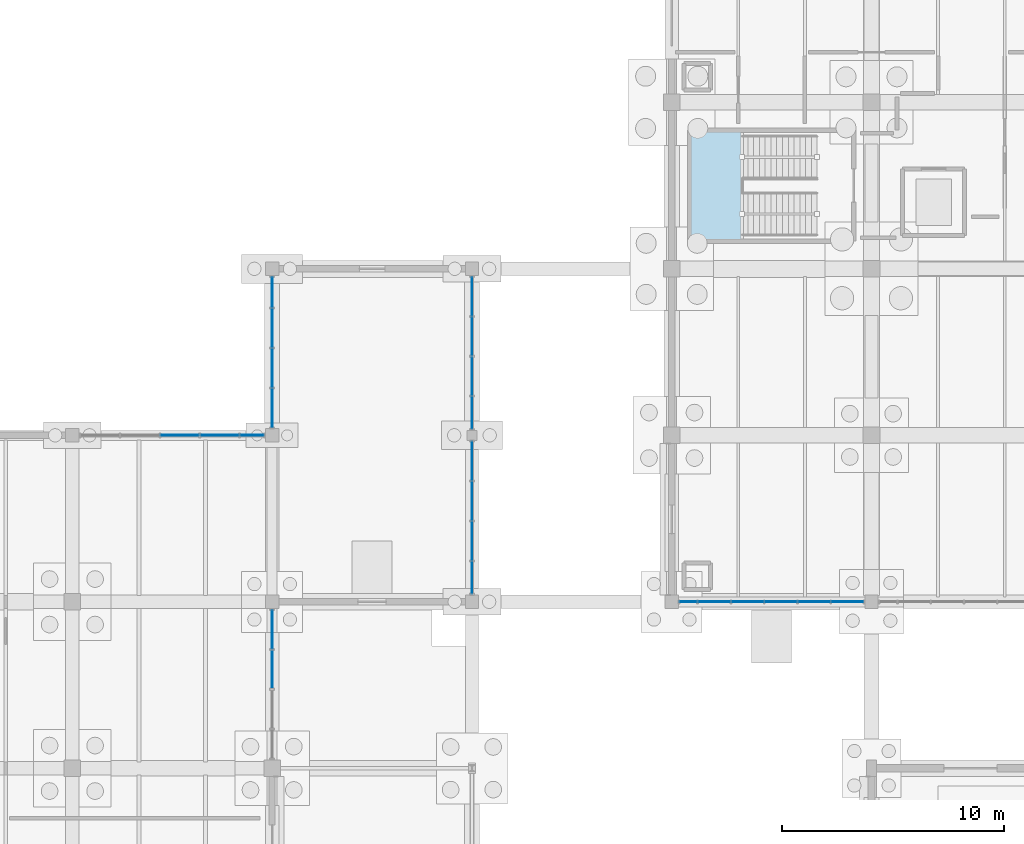
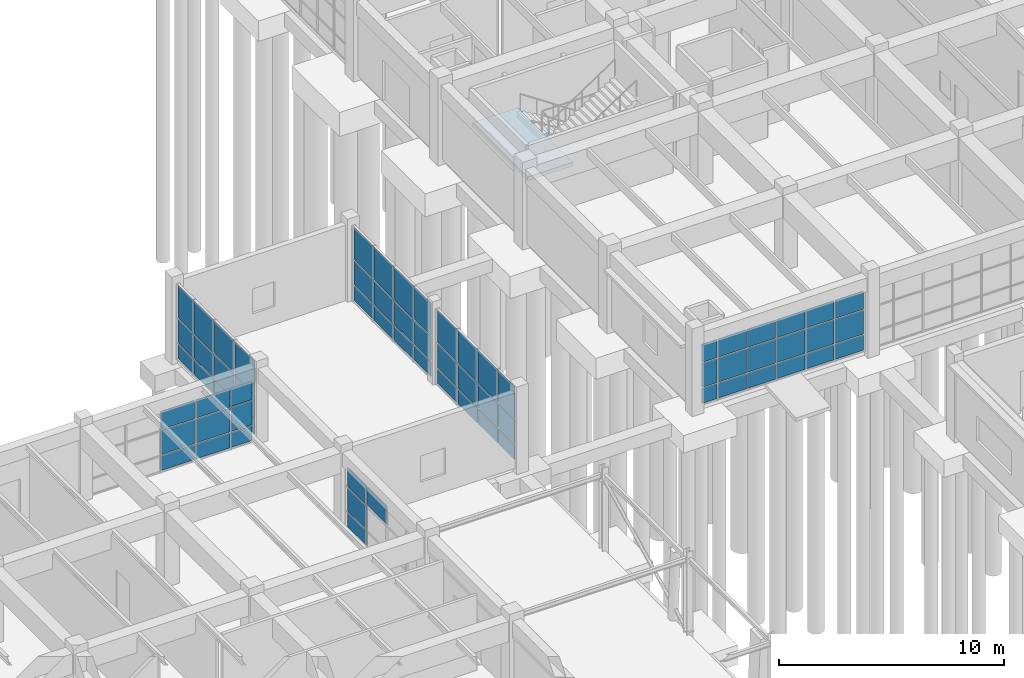
# One storey, part 44 of 93: 67 plates, 1 slab, 7 elements without a shape of their own.
"""IFC4 building model written with IfcOpenShell, lengths in metres."""

from ifc_helpers import new_model, si_unit, direction, frame, origin, origin_2d, place, context, subcontext, project, spatial, polyline, rectangle, outline, extrude, material, layer, layer_set, type_object, element, aggregate, save


model = new_model("IFC4")

# Units and contexts
model_context = context("Model", 3, precision=1e-05, world=origin(), true_north=direction((0.0, 1.0)))
body_context = subcontext(model_context, "Body", "Model", "MODEL_VIEW")
ifc_project = project(units=[si_unit("LENGTHUNIT", "METRE"), si_unit("AREAUNIT", "SQUARE_METRE"), si_unit("VOLUMEUNIT", "CUBIC_METRE"), si_unit("PLANEANGLEUNIT", "RADIAN"), si_unit("MASSUNIT", "GRAM", prefix="KILO")], contexts=[model_context])

# Site, building, storey
site_placement = place(None, origin())
site = spatial("IfcSite", under=ifc_project, at=site_placement, CompositionType="ELEMENT")
building_placement = place(site_placement, origin())
building = spatial("IfcBuilding", under=site, at=building_placement, Name="Marnridge Secondary College", CompositionType="ELEMENT")
storey_placement = place(building_placement, origin())
storey = spatial("IfcBuildingStorey", under=building, at=storey_placement, Name="L00", CompositionType="ELEMENT", Elevation=0.0)

# Curtain wall, plates
ifc_material_1 = material(Name="Thermally broken aluminium and low-E glazing", Category="aluminium")
ifc_layer_1 = layer(ifc_material_1, 0.159912109375)
ifc_layer_set_1 = layer_set([ifc_layer_1], Name="CW-MOD-1500")
curtain_wall_type_1 = type_object("IfcCurtainWallType", Name="CW-MOD-1500", PredefinedType="NOTDEFINED", material=ifc_layer_set_1)
curtain_wall_1_placement = place(storey_placement, origin())
curtain_wall_1 = element("IfcCurtainWall", 1, at=curtain_wall_1_placement, inside=storey, type_object=curtain_wall_type_1, Name="Unitised curtain wall CW-L00-006", PredefinedType="NOTDEFINED")
ifc_material_2 = material(Name="Double-glazed low-E argon unit", Category="glass")
ifc_layer_2 = layer(ifc_material_2, 0.028076171875)
ifc_layer_set_2 = layer_set([ifc_layer_2], Name="CWP-GLZ28")
plate_type_1 = type_object("IfcPlateType", Name="CWP-GLZ28", PredefinedType="CURTAIN_PANEL", material=ifc_layer_set_2)
plate_1_placement = place(storey_placement, frame((61.916015625, 37.5, 0.06005859375), z_axis=(0.0, 0.0, 1.0), x_axis=(-1.0, 0.0, 0.0)))
plate_1 = element("IfcPlate", 2, at=plate_1_placement, type_object=plate_type_1, Name="CW-L00-006 panel 1.1", PredefinedType="CURTAIN_PANEL", context=body_context, shape_type="SweptSolid", body=[
    extrude(rectangle(XDim=1.43994140625, YDim=0.028076171875, at=origin_2d()), origin(), (0.0, 0.0, 1.0), 0.81005859375),
])
plate_2_placement = place(storey_placement, frame((61.916015625, 37.5, 0.929931640625), z_axis=(0.0, 0.0, 1.0), x_axis=(-1.0, 0.0, 0.0)))
plate_2 = element("IfcPlate", 3, at=plate_2_placement, type_object=plate_type_1, Name="CW-L00-006 panel 1.2", PredefinedType="CURTAIN_PANEL", context=body_context, shape_type="SweptSolid", body=[
    extrude(rectangle(XDim=1.43994140625, YDim=0.028076171875, at=origin_2d()), origin(), (0.0, 0.0, 1.0), 1.2900390625),
])
plate_3_placement = place(storey_placement, frame((61.916015625, 37.5, 2.280029296875), z_axis=(0.0, 0.0, 1.0), x_axis=(-1.0, 0.0, 0.0)))
plate_3 = element("IfcPlate", 4, at=plate_3_placement, type_object=plate_type_1, Name="CW-L00-006 panel 1.3", PredefinedType="CURTAIN_PANEL", context=body_context, shape_type="SweptSolid", body=[
    extrude(rectangle(XDim=1.43994140625, YDim=0.028076171875, at=origin_2d()), origin(), (0.0, 0.0, 1.0), 0.98193359375),
])
plate_4_placement = place(storey_placement, frame((60.416015625, 37.5, 0.06005859375), z_axis=(0.0, 0.0, 1.0), x_axis=(-1.0, 0.0, 0.0)))
plate_4 = element("IfcPlate", 5, at=plate_4_placement, type_object=plate_type_1, Name="CW-L00-006 panel 2.1", PredefinedType="CURTAIN_PANEL", context=body_context, shape_type="SweptSolid", body=[
    extrude(rectangle(XDim=1.43994140625, YDim=0.028076171875, at=origin_2d()), origin(), (0.0, 0.0, 1.0), 0.81005859375),
])
plate_5_placement = place(storey_placement, frame((60.416015625, 37.5, 0.929931640625), z_axis=(0.0, 0.0, 1.0), x_axis=(-1.0, 0.0, 0.0)))
plate_5 = element("IfcPlate", 6, at=plate_5_placement, type_object=plate_type_1, Name="CW-L00-006 panel 2.2", PredefinedType="CURTAIN_PANEL", context=body_context, shape_type="SweptSolid", body=[
    extrude(rectangle(XDim=1.43994140625, YDim=0.028076171875, at=origin_2d()), origin(), (0.0, 0.0, 1.0), 1.2900390625),
])
plate_6_placement = place(storey_placement, frame((60.416015625, 37.5, 2.280029296875), z_axis=(0.0, 0.0, 1.0), x_axis=(-1.0, 0.0, 0.0)))
plate_6 = element("IfcPlate", 7, at=plate_6_placement, type_object=plate_type_1, Name="CW-L00-006 panel 2.3", PredefinedType="CURTAIN_PANEL", context=body_context, shape_type="SweptSolid", body=[
    extrude(rectangle(XDim=1.43994140625, YDim=0.028076171875, at=origin_2d()), origin(), (0.0, 0.0, 1.0), 0.98193359375),
])
plate_7_placement = place(storey_placement, frame((58.916015625, 37.5, 0.06005859375), z_axis=(0.0, 0.0, 1.0), x_axis=(-1.0, 0.0, 0.0)))
plate_7 = element("IfcPlate", 8, at=plate_7_placement, type_object=plate_type_1, Name="CW-L00-006 panel 3.1", PredefinedType="CURTAIN_PANEL", context=body_context, shape_type="SweptSolid", body=[
    extrude(rectangle(XDim=1.43994140625, YDim=0.028076171875, at=origin_2d()), origin(), (0.0, 0.0, 1.0), 0.81005859375),
])
plate_8_placement = place(storey_placement, frame((58.916015625, 37.5, 0.929931640625), z_axis=(0.0, 0.0, 1.0), x_axis=(-1.0, 0.0, 0.0)))
plate_8 = element("IfcPlate", 9, at=plate_8_placement, type_object=plate_type_1, Name="CW-L00-006 panel 3.2", PredefinedType="CURTAIN_PANEL", context=body_context, shape_type="SweptSolid", body=[
    extrude(rectangle(XDim=1.43994140625, YDim=0.028076171875, at=origin_2d()), origin(), (0.0, 0.0, 1.0), 1.2900390625),
])
plate_9_placement = place(storey_placement, frame((58.916015625, 37.5, 2.280029296875), z_axis=(0.0, 0.0, 1.0), x_axis=(-1.0, 0.0, 0.0)))
plate_9 = element("IfcPlate", 10, at=plate_9_placement, type_object=plate_type_1, Name="CW-L00-006 panel 3.3", PredefinedType="CURTAIN_PANEL", context=body_context, shape_type="SweptSolid", body=[
    extrude(rectangle(XDim=1.43994140625, YDim=0.028076171875, at=origin_2d()), origin(), (0.0, 0.0, 1.0), 0.98193359375),
])
plate_10_placement = place(storey_placement, frame((57.416015625, 37.5, 0.06005859375), z_axis=(0.0, 0.0, 1.0), x_axis=(-1.0, 0.0, 0.0)))
plate_10 = element("IfcPlate", 11, at=plate_10_placement, type_object=plate_type_1, Name="CW-L00-006 panel 4.1", PredefinedType="CURTAIN_PANEL", context=body_context, shape_type="SweptSolid", body=[
    extrude(rectangle(XDim=1.43994140625, YDim=0.028076171875, at=origin_2d()), origin(), (0.0, 0.0, 1.0), 0.81005859375),
])
plate_11_placement = place(storey_placement, frame((57.416015625, 37.5, 0.929931640625), z_axis=(0.0, 0.0, 1.0), x_axis=(-1.0, 0.0, 0.0)))
plate_11 = element("IfcPlate", 12, at=plate_11_placement, type_object=plate_type_1, Name="CW-L00-006 panel 4.2", PredefinedType="CURTAIN_PANEL", context=body_context, shape_type="SweptSolid", body=[
    extrude(rectangle(XDim=1.43994140625, YDim=0.028076171875, at=origin_2d()), origin(), (0.0, 0.0, 1.0), 1.2900390625),
])
plate_12_placement = place(storey_placement, frame((57.416015625, 37.5, 2.280029296875), z_axis=(0.0, 0.0, 1.0), x_axis=(-1.0, 0.0, 0.0)))
plate_12 = element("IfcPlate", 13, at=plate_12_placement, type_object=plate_type_1, Name="CW-L00-006 panel 4.3", PredefinedType="CURTAIN_PANEL", context=body_context, shape_type="SweptSolid", body=[
    extrude(rectangle(XDim=1.43994140625, YDim=0.028076171875, at=origin_2d()), origin(), (0.0, 0.0, 1.0), 0.98193359375),
])
plate_13_placement = place(storey_placement, frame((55.916015625, 37.5, 0.06005859375), z_axis=(0.0, 0.0, 1.0), x_axis=(-1.0, 0.0, 0.0)))
plate_13 = element("IfcPlate", 14, at=plate_13_placement, type_object=plate_type_1, Name="CW-L00-006 panel 5.1", PredefinedType="CURTAIN_PANEL", context=body_context, shape_type="SweptSolid", body=[
    extrude(rectangle(XDim=1.43994140625, YDim=0.028076171875, at=origin_2d()), origin(), (0.0, 0.0, 1.0), 0.81005859375),
])
plate_14_placement = place(storey_placement, frame((55.916015625, 37.5, 0.929931640625), z_axis=(0.0, 0.0, 1.0), x_axis=(-1.0, 0.0, 0.0)))
plate_14 = element("IfcPlate", 15, at=plate_14_placement, type_object=plate_type_1, Name="CW-L00-006 panel 5.2", PredefinedType="CURTAIN_PANEL", context=body_context, shape_type="SweptSolid", body=[
    extrude(rectangle(XDim=1.43994140625, YDim=0.028076171875, at=origin_2d()), origin(), (0.0, 0.0, 1.0), 1.2900390625),
])
plate_15_placement = place(storey_placement, frame((55.916015625, 37.5, 2.280029296875), z_axis=(0.0, 0.0, 1.0), x_axis=(-1.0, 0.0, 0.0)))
plate_15 = element("IfcPlate", 16, at=plate_15_placement, type_object=plate_type_1, Name="CW-L00-006 panel 5.3", PredefinedType="CURTAIN_PANEL", context=body_context, shape_type="SweptSolid", body=[
    extrude(rectangle(XDim=1.43994140625, YDim=0.028076171875, at=origin_2d()), origin(), (0.0, 0.0, 1.0), 0.98193359375),
])
plate_16_placement = place(storey_placement, frame((54.75, 37.5, 0.06005859375), z_axis=(0.0, 0.0, 1.0), x_axis=(-1.0, 0.0, 0.0)))
plate_16 = element("IfcPlate", 17, at=plate_16_placement, type_object=plate_type_1, Name="CW-L00-006 panel 6.1", PredefinedType="CURTAIN_PANEL", context=body_context, shape_type="SweptSolid", body=[
    extrude(rectangle(XDim=0.77197265625, YDim=0.028076171875, at=origin_2d()), origin(), (0.0, 0.0, 1.0), 0.81005859375),
])
plate_17_placement = place(storey_placement, frame((54.75, 37.5, 0.929931640625), z_axis=(0.0, 0.0, 1.0), x_axis=(-1.0, 0.0, 0.0)))
plate_17 = element("IfcPlate", 18, at=plate_17_placement, type_object=plate_type_1, Name="CW-L00-006 panel 6.2", PredefinedType="CURTAIN_PANEL", context=body_context, shape_type="SweptSolid", body=[
    extrude(rectangle(XDim=0.77197265625, YDim=0.028076171875, at=origin_2d()), origin(), (0.0, 0.0, 1.0), 1.2900390625),
])
plate_18_placement = place(storey_placement, frame((54.75, 37.5, 2.280029296875), z_axis=(0.0, 0.0, 1.0), x_axis=(-1.0, 0.0, 0.0)))
plate_18 = element("IfcPlate", 19, at=plate_18_placement, type_object=plate_type_1, Name="CW-L00-006 panel 6.3", PredefinedType="CURTAIN_PANEL", context=body_context, shape_type="SweptSolid", body=[
    extrude(rectangle(XDim=0.77197265625, YDim=0.028076171875, at=origin_2d()), origin(), (0.0, 0.0, 1.0), 0.98193359375),
])
aggregate(curtain_wall_1, [plate_1, plate_2, plate_3, plate_4, plate_5, plate_6, plate_7, plate_8, plate_9, plate_10, plate_11, plate_12, plate_13, plate_14, plate_15, plate_16, plate_17, plate_18])

ifc_material_3 = material(Name="Bronze-anodised aluminium and solar-control glazing", Category="aluminium")
ifc_layer_3 = layer(ifc_material_3, 0.199951171875)
ifc_layer_set_3 = layer_set([ifc_layer_3], Name="CW-MOD-1800")
curtain_wall_type_2 = type_object("IfcCurtainWallType", Name="CW-MOD-1800", PredefinedType="NOTDEFINED", material=ifc_layer_set_3)
curtain_wall_2_placement = place(storey_placement, origin())
curtain_wall_2 = element("IfcCurtainWall", 20, at=curtain_wall_2_placement, inside=storey, type_object=curtain_wall_type_2, Name="Unitised curtain wall CW-L00-019", PredefinedType="NOTDEFINED")
ifc_material_4 = material(Name="Acoustic laminated solar-control double glazing", Category="glass")
ifc_layer_4 = layer(ifc_material_4, 0.035888671875)
ifc_layer_set_4 = layer_set([ifc_layer_4], Name="CWP-GLZ36")
plate_type_2 = type_object("IfcPlateType", Name="CWP-GLZ36", PredefinedType="CURTAIN_PANEL", material=ifc_layer_set_4)
plate_19_placement = place(storey_placement, frame((31.839111328125, 45.0, 0.06494140625), z_axis=(0.0, 0.0, 1.0), x_axis=(1.0, 0.0, 0.0)))
plate_19 = element("IfcPlate", 21, at=plate_19_placement, type_object=plate_type_2, Name="CW-L00-019 panel 3.1", PredefinedType="CURTAIN_PANEL", context=body_context, shape_type="SweptSolid", body=[
    extrude(rectangle(XDim=1.72998046875, YDim=0.035888671875, at=origin_2d()), origin(), (0.0, 0.0, 1.0), 0.802490234375),
])
plate_20_placement = place(storey_placement, frame((31.839111328125, 45.0, 0.9326171875), z_axis=(0.0, 0.0, 1.0), x_axis=(1.0, 0.0, 0.0)))
plate_20 = element("IfcPlate", 22, at=plate_20_placement, type_object=plate_type_2, Name="CW-L00-019 panel 3.2", PredefinedType="CURTAIN_PANEL", context=body_context, shape_type="SweptSolid", body=[
    extrude(rectangle(XDim=1.72998046875, YDim=0.035888671875, at=origin_2d()), origin(), (0.0, 0.0, 1.0), 1.284912109375),
])
plate_21_placement = place(storey_placement, frame((31.839111328125, 45.0, 2.2822265625), z_axis=(0.0, 0.0, 1.0), x_axis=(1.0, 0.0, 0.0)))
plate_21 = element("IfcPlate", 23, at=plate_21_placement, type_object=plate_type_2, Name="CW-L00-019 panel 3.3", PredefinedType="CURTAIN_PANEL", context=body_context, shape_type="SweptSolid", body=[
    extrude(rectangle(XDim=1.72998046875, YDim=0.035888671875, at=origin_2d()), origin(), (0.0, 0.0, 1.0), 0.984619140625),
])
plate_22_placement = place(storey_placement, frame((33.638916015625, 45.0, 0.06494140625), z_axis=(0.0, 0.0, 1.0), x_axis=(1.0, 0.0, 0.0)))
plate_22 = element("IfcPlate", 24, at=plate_22_placement, type_object=plate_type_2, Name="CW-L00-019 panel 4.1", PredefinedType="CURTAIN_PANEL", context=body_context, shape_type="SweptSolid", body=[
    extrude(rectangle(XDim=1.72998046875, YDim=0.035888671875, at=origin_2d()), origin(), (0.0, 0.0, 1.0), 0.802490234375),
])
plate_23_placement = place(storey_placement, frame((33.638916015625, 45.0, 0.9326171875), z_axis=(0.0, 0.0, 1.0), x_axis=(1.0, 0.0, 0.0)))
plate_23 = element("IfcPlate", 25, at=plate_23_placement, type_object=plate_type_2, Name="CW-L00-019 panel 4.2", PredefinedType="CURTAIN_PANEL", context=body_context, shape_type="SweptSolid", body=[
    extrude(rectangle(XDim=1.72998046875, YDim=0.035888671875, at=origin_2d()), origin(), (0.0, 0.0, 1.0), 1.284912109375),
])
plate_24_placement = place(storey_placement, frame((33.638916015625, 45.0, 2.2822265625), z_axis=(0.0, 0.0, 1.0), x_axis=(1.0, 0.0, 0.0)))
plate_24 = element("IfcPlate", 26, at=plate_24_placement, type_object=plate_type_2, Name="CW-L00-019 panel 4.3", PredefinedType="CURTAIN_PANEL", context=body_context, shape_type="SweptSolid", body=[
    extrude(rectangle(XDim=1.72998046875, YDim=0.035888671875, at=origin_2d()), origin(), (0.0, 0.0, 1.0), 0.984619140625),
])
plate_25_placement = place(storey_placement, frame((35.10009765625, 45.0, 0.06494140625), z_axis=(0.0, 0.0, 1.0), x_axis=(1.0, 0.0, 0.0)))
plate_25 = element("IfcPlate", 27, at=plate_25_placement, type_object=plate_type_2, Name="CW-L00-019 panel 5.1", PredefinedType="CURTAIN_PANEL", context=body_context, shape_type="SweptSolid", body=[
    extrude(rectangle(XDim=1.052001953125, YDim=0.035888671875, at=origin_2d()), origin(), (0.0, 0.0, 1.0), 0.802490234375),
])
plate_26_placement = place(storey_placement, frame((35.10009765625, 45.0, 0.9326171875), z_axis=(0.0, 0.0, 1.0), x_axis=(1.0, 0.0, 0.0)))
plate_26 = element("IfcPlate", 28, at=plate_26_placement, type_object=plate_type_2, Name="CW-L00-019 panel 5.2", PredefinedType="CURTAIN_PANEL", context=body_context, shape_type="SweptSolid", body=[
    extrude(rectangle(XDim=1.052001953125, YDim=0.035888671875, at=origin_2d()), origin(), (0.0, 0.0, 1.0), 1.284912109375),
])
plate_27_placement = place(storey_placement, frame((35.10009765625, 45.0, 2.2822265625), z_axis=(0.0, 0.0, 1.0), x_axis=(1.0, 0.0, 0.0)))
plate_27 = element("IfcPlate", 29, at=plate_27_placement, type_object=plate_type_2, Name="CW-L00-019 panel 5.3", PredefinedType="CURTAIN_PANEL", context=body_context, shape_type="SweptSolid", body=[
    extrude(rectangle(XDim=1.052001953125, YDim=0.035888671875, at=origin_2d()), origin(), (0.0, 0.0, 1.0), 0.984619140625),
])
aggregate(curtain_wall_2, [plate_19, plate_20, plate_21, plate_22, plate_23, plate_24, plate_25, plate_26, plate_27])

curtain_wall_3_placement = place(storey_placement, origin())
curtain_wall_3 = element("IfcCurtainWall", 30, at=curtain_wall_3_placement, inside=storey, type_object=curtain_wall_type_2, Name="Unitised curtain wall CW-L00-020", PredefinedType="NOTDEFINED")
plate_28_placement = place(storey_placement, frame((36.0, 46.239013671875, 0.06494140625), z_axis=(0.0, 0.0, 1.0), x_axis=(0.0, 1.0, 0.0)))
plate_28 = element("IfcPlate", 31, at=plate_28_placement, type_object=plate_type_2, Name="CW-L00-020 panel 1.1", PredefinedType="CURTAIN_PANEL", context=body_context, shape_type="SweptSolid", body=[
    extrude(rectangle(XDim=1.72998046875, YDim=0.035888671875, at=origin_2d()), origin(), (0.0, 0.0, 1.0), 0.802490234375),
])
plate_29_placement = place(storey_placement, frame((36.0, 46.239013671875, 0.9326171875), z_axis=(0.0, 0.0, 1.0), x_axis=(0.0, 1.0, 0.0)))
plate_29 = element("IfcPlate", 32, at=plate_29_placement, type_object=plate_type_2, Name="CW-L00-020 panel 1.2", PredefinedType="CURTAIN_PANEL", context=body_context, shape_type="SweptSolid", body=[
    extrude(rectangle(XDim=1.72998046875, YDim=0.035888671875, at=origin_2d()), origin(), (0.0, 0.0, 1.0), 1.284912109375),
])
plate_30_placement = place(storey_placement, frame((36.0, 46.239013671875, 2.28271484375), z_axis=(0.0, 0.0, 1.0), x_axis=(0.0, 1.0, 0.0)))
plate_30 = element("IfcPlate", 33, at=plate_30_placement, type_object=plate_type_2, Name="CW-L00-020 panel 1.3", PredefinedType="CURTAIN_PANEL", context=body_context, shape_type="SweptSolid", body=[
    extrude(rectangle(XDim=1.72998046875, YDim=0.035888671875, at=origin_2d()), origin(), (0.0, 0.0, 1.0), 1.742431640625),
])
plate_31_placement = place(storey_placement, frame((36.0, 48.0390625, 0.06494140625), z_axis=(0.0, 0.0, 1.0), x_axis=(0.0, 1.0, 0.0)))
plate_31 = element("IfcPlate", 34, at=plate_31_placement, type_object=plate_type_2, Name="CW-L00-020 panel 2.1", PredefinedType="CURTAIN_PANEL", context=body_context, shape_type="SweptSolid", body=[
    extrude(rectangle(XDim=1.72998046875, YDim=0.035888671875, at=origin_2d()), origin(), (0.0, 0.0, 1.0), 0.802490234375),
])
plate_32_placement = place(storey_placement, frame((36.0, 48.0390625, 0.9326171875), z_axis=(0.0, 0.0, 1.0), x_axis=(0.0, 1.0, 0.0)))
plate_32 = element("IfcPlate", 35, at=plate_32_placement, type_object=plate_type_2, Name="CW-L00-020 panel 2.2", PredefinedType="CURTAIN_PANEL", context=body_context, shape_type="SweptSolid", body=[
    extrude(rectangle(XDim=1.72998046875, YDim=0.035888671875, at=origin_2d()), origin(), (0.0, 0.0, 1.0), 1.284912109375),
])
plate_33_placement = place(storey_placement, frame((36.0, 48.0390625, 2.28271484375), z_axis=(0.0, 0.0, 1.0), x_axis=(0.0, 1.0, 0.0)))
plate_33 = element("IfcPlate", 36, at=plate_33_placement, type_object=plate_type_2, Name="CW-L00-020 panel 2.3", PredefinedType="CURTAIN_PANEL", context=body_context, shape_type="SweptSolid", body=[
    extrude(rectangle(XDim=1.72998046875, YDim=0.035888671875, at=origin_2d()), origin(), (0.0, 0.0, 1.0), 1.742431640625),
])
plate_34_placement = place(storey_placement, frame((36.0, 49.839111328125, 0.06494140625), z_axis=(0.0, 0.0, 1.0), x_axis=(0.0, 1.0, 0.0)))
plate_34 = element("IfcPlate", 37, at=plate_34_placement, type_object=plate_type_2, Name="CW-L00-020 panel 3.1", PredefinedType="CURTAIN_PANEL", context=body_context, shape_type="SweptSolid", body=[
    extrude(rectangle(XDim=1.72998046875, YDim=0.035888671875, at=origin_2d()), origin(), (0.0, 0.0, 1.0), 0.802490234375),
])
plate_35_placement = place(storey_placement, frame((36.0, 49.839111328125, 0.9326171875), z_axis=(0.0, 0.0, 1.0), x_axis=(0.0, 1.0, 0.0)))
plate_35 = element("IfcPlate", 38, at=plate_35_placement, type_object=plate_type_2, Name="CW-L00-020 panel 3.2", PredefinedType="CURTAIN_PANEL", context=body_context, shape_type="SweptSolid", body=[
    extrude(rectangle(XDim=1.72998046875, YDim=0.035888671875, at=origin_2d()), origin(), (0.0, 0.0, 1.0), 1.284912109375),
])
plate_36_placement = place(storey_placement, frame((36.0, 49.839111328125, 2.28271484375), z_axis=(0.0, 0.0, 1.0), x_axis=(0.0, 1.0, 0.0)))
plate_36 = element("IfcPlate", 39, at=plate_36_placement, type_object=plate_type_2, Name="CW-L00-020 panel 3.3", PredefinedType="CURTAIN_PANEL", context=body_context, shape_type="SweptSolid", body=[
    extrude(rectangle(XDim=1.72998046875, YDim=0.035888671875, at=origin_2d()), origin(), (0.0, 0.0, 1.0), 1.742431640625),
])
plate_37_placement = place(storey_placement, frame((36.0, 51.449951171875, 0.06494140625), z_axis=(0.0, 0.0, 1.0), x_axis=(0.0, 1.0, 0.0)))
plate_37 = element("IfcPlate", 40, at=plate_37_placement, type_object=plate_type_2, Name="CW-L00-020 panel 4.1", PredefinedType="CURTAIN_PANEL", context=body_context, shape_type="SweptSolid", body=[
    extrude(rectangle(XDim=1.35205078125, YDim=0.035888671875, at=origin_2d()), origin(), (0.0, 0.0, 1.0), 0.802490234375),
])
plate_38_placement = place(storey_placement, frame((36.0, 51.449951171875, 0.9326171875), z_axis=(0.0, 0.0, 1.0), x_axis=(0.0, 1.0, 0.0)))
plate_38 = element("IfcPlate", 41, at=plate_38_placement, type_object=plate_type_2, Name="CW-L00-020 panel 4.2", PredefinedType="CURTAIN_PANEL", context=body_context, shape_type="SweptSolid", body=[
    extrude(rectangle(XDim=1.35205078125, YDim=0.035888671875, at=origin_2d()), origin(), (0.0, 0.0, 1.0), 1.284912109375),
])
plate_39_placement = place(storey_placement, frame((36.0, 51.449951171875, 2.28271484375), z_axis=(0.0, 0.0, 1.0), x_axis=(0.0, 1.0, 0.0)))
plate_39 = element("IfcPlate", 42, at=plate_39_placement, type_object=plate_type_2, Name="CW-L00-020 panel 4.3", PredefinedType="CURTAIN_PANEL", context=body_context, shape_type="SweptSolid", body=[
    extrude(rectangle(XDim=1.35205078125, YDim=0.035888671875, at=origin_2d()), origin(), (0.0, 0.0, 1.0), 1.742431640625),
])
aggregate(curtain_wall_3, [plate_28, plate_29, plate_30, plate_31, plate_32, plate_33, plate_34, plate_35, plate_36, plate_37, plate_38, plate_39])

curtain_wall_4_placement = place(storey_placement, origin())
curtain_wall_4 = element("IfcCurtainWall", 43, at=curtain_wall_4_placement, inside=storey, type_object=curtain_wall_type_2, Name="Unitised curtain wall CW-L00-021", PredefinedType="NOTDEFINED")
plate_40_placement = place(storey_placement, frame((45.0, 51.260986328125, 0.06494140625), z_axis=(0.0, 0.0, 1.0), x_axis=(0.0, -1.0, 0.0)))
plate_40 = element("IfcPlate", 44, at=plate_40_placement, type_object=plate_type_2, Name="CW-L00-021 panel 1.1", PredefinedType="CURTAIN_PANEL", context=body_context, shape_type="SweptSolid", body=[
    extrude(rectangle(XDim=1.72998046875, YDim=0.035888671875, at=origin_2d()), origin(), (0.0, 0.0, 1.0), 0.802490234375),
])
plate_41_placement = place(storey_placement, frame((45.0, 51.260986328125, 0.9326171875), z_axis=(0.0, 0.0, 1.0), x_axis=(0.0, -1.0, 0.0)))
plate_41 = element("IfcPlate", 45, at=plate_41_placement, type_object=plate_type_2, Name="CW-L00-021 panel 1.2", PredefinedType="CURTAIN_PANEL", context=body_context, shape_type="SweptSolid", body=[
    extrude(rectangle(XDim=1.72998046875, YDim=0.035888671875, at=origin_2d()), origin(), (0.0, 0.0, 1.0), 1.284912109375),
])
plate_42_placement = place(storey_placement, frame((45.0, 51.260986328125, 2.28271484375), z_axis=(0.0, 0.0, 1.0), x_axis=(0.0, -1.0, 0.0)))
plate_42 = element("IfcPlate", 46, at=plate_42_placement, type_object=plate_type_2, Name="CW-L00-021 panel 1.3", PredefinedType="CURTAIN_PANEL", context=body_context, shape_type="SweptSolid", body=[
    extrude(rectangle(XDim=1.72998046875, YDim=0.035888671875, at=origin_2d()), origin(), (0.0, 0.0, 1.0), 1.742431640625),
])
plate_43_placement = place(storey_placement, frame((45.0, 49.4609375, 0.06494140625), z_axis=(0.0, 0.0, 1.0), x_axis=(0.0, -1.0, 0.0)))
plate_43 = element("IfcPlate", 47, at=plate_43_placement, type_object=plate_type_2, Name="CW-L00-021 panel 2.1", PredefinedType="CURTAIN_PANEL", context=body_context, shape_type="SweptSolid", body=[
    extrude(rectangle(XDim=1.72998046875, YDim=0.035888671875, at=origin_2d()), origin(), (0.0, 0.0, 1.0), 0.802490234375),
])
plate_44_placement = place(storey_placement, frame((45.0, 49.4609375, 0.9326171875), z_axis=(0.0, 0.0, 1.0), x_axis=(0.0, -1.0, 0.0)))
plate_44 = element("IfcPlate", 48, at=plate_44_placement, type_object=plate_type_2, Name="CW-L00-021 panel 2.2", PredefinedType="CURTAIN_PANEL", context=body_context, shape_type="SweptSolid", body=[
    extrude(rectangle(XDim=1.72998046875, YDim=0.035888671875, at=origin_2d()), origin(), (0.0, 0.0, 1.0), 1.284912109375),
])
plate_45_placement = place(storey_placement, frame((45.0, 49.4609375, 2.28271484375), z_axis=(0.0, 0.0, 1.0), x_axis=(0.0, -1.0, 0.0)))
plate_45 = element("IfcPlate", 49, at=plate_45_placement, type_object=plate_type_2, Name="CW-L00-021 panel 2.3", PredefinedType="CURTAIN_PANEL", context=body_context, shape_type="SweptSolid", body=[
    extrude(rectangle(XDim=1.72998046875, YDim=0.035888671875, at=origin_2d()), origin(), (0.0, 0.0, 1.0), 1.742431640625),
])
plate_46_placement = place(storey_placement, frame((45.0, 47.660888671875, 0.06494140625), z_axis=(0.0, 0.0, 1.0), x_axis=(0.0, -1.0, 0.0)))
plate_46 = element("IfcPlate", 50, at=plate_46_placement, type_object=plate_type_2, Name="CW-L00-021 panel 3.1", PredefinedType="CURTAIN_PANEL", context=body_context, shape_type="SweptSolid", body=[
    extrude(rectangle(XDim=1.72998046875, YDim=0.035888671875, at=origin_2d()), origin(), (0.0, 0.0, 1.0), 0.802490234375),
])
plate_47_placement = place(storey_placement, frame((45.0, 47.660888671875, 0.9326171875), z_axis=(0.0, 0.0, 1.0), x_axis=(0.0, -1.0, 0.0)))
plate_47 = element("IfcPlate", 51, at=plate_47_placement, type_object=plate_type_2, Name="CW-L00-021 panel 3.2", PredefinedType="CURTAIN_PANEL", context=body_context, shape_type="SweptSolid", body=[
    extrude(rectangle(XDim=1.72998046875, YDim=0.035888671875, at=origin_2d()), origin(), (0.0, 0.0, 1.0), 1.284912109375),
])
plate_48_placement = place(storey_placement, frame((45.0, 47.660888671875, 2.28271484375), z_axis=(0.0, 0.0, 1.0), x_axis=(0.0, -1.0, 0.0)))
plate_48 = element("IfcPlate", 52, at=plate_48_placement, type_object=plate_type_2, Name="CW-L00-021 panel 3.3", PredefinedType="CURTAIN_PANEL", context=body_context, shape_type="SweptSolid", body=[
    extrude(rectangle(XDim=1.72998046875, YDim=0.035888671875, at=origin_2d()), origin(), (0.0, 0.0, 1.0), 1.742431640625),
])
plate_49_placement = place(storey_placement, frame((45.0, 46.012451171875, 0.06494140625), z_axis=(0.0, 0.0, 1.0), x_axis=(0.0, -1.0, 0.0)))
plate_49 = element("IfcPlate", 53, at=plate_49_placement, type_object=plate_type_2, Name="CW-L00-021 panel 4.1", PredefinedType="CURTAIN_PANEL", context=body_context, shape_type="SweptSolid", body=[
    extrude(rectangle(XDim=1.427001953125, YDim=0.035888671875, at=origin_2d()), origin(), (0.0, 0.0, 1.0), 0.802490234375),
])
plate_50_placement = place(storey_placement, frame((45.0, 46.012451171875, 0.9326171875), z_axis=(0.0, 0.0, 1.0), x_axis=(0.0, -1.0, 0.0)))
plate_50 = element("IfcPlate", 54, at=plate_50_placement, type_object=plate_type_2, Name="CW-L00-021 panel 4.2", PredefinedType="CURTAIN_PANEL", context=body_context, shape_type="SweptSolid", body=[
    extrude(rectangle(XDim=1.427001953125, YDim=0.035888671875, at=origin_2d()), origin(), (0.0, 0.0, 1.0), 1.284912109375),
])
plate_51_placement = place(storey_placement, frame((45.0, 46.012451171875, 2.28271484375), z_axis=(0.0, 0.0, 1.0), x_axis=(0.0, -1.0, 0.0)))
plate_51 = element("IfcPlate", 55, at=plate_51_placement, type_object=plate_type_2, Name="CW-L00-021 panel 4.3", PredefinedType="CURTAIN_PANEL", context=body_context, shape_type="SweptSolid", body=[
    extrude(rectangle(XDim=1.427001953125, YDim=0.035888671875, at=origin_2d()), origin(), (0.0, 0.0, 1.0), 1.742431640625),
])
aggregate(curtain_wall_4, [plate_40, plate_41, plate_42, plate_43, plate_44, plate_45, plate_46, plate_47, plate_48, plate_49, plate_50, plate_51])

curtain_wall_5_placement = place(storey_placement, origin())
curtain_wall_5 = element("IfcCurtainWall", 56, at=curtain_wall_5_placement, inside=storey, type_object=curtain_wall_type_2, Name="Unitised curtain wall CW-L00-022", PredefinedType="NOTDEFINED")
plate_52_placement = place(storey_placement, frame((45.0, 43.8359375, 0.06494140625), z_axis=(0.0, 0.0, 1.0), x_axis=(0.0, -1.0, 0.0)))
plate_52 = element("IfcPlate", 57, at=plate_52_placement, type_object=plate_type_2, Name="CW-L00-022 panel 1.1", PredefinedType="CURTAIN_PANEL", context=body_context, shape_type="SweptSolid", body=[
    extrude(rectangle(XDim=1.72998046875, YDim=0.035888671875, at=origin_2d()), origin(), (0.0, 0.0, 1.0), 0.802490234375),
])
plate_53_placement = place(storey_placement, frame((45.0, 43.8359375, 0.9326171875), z_axis=(0.0, 0.0, 1.0), x_axis=(0.0, -1.0, 0.0)))
plate_53 = element("IfcPlate", 58, at=plate_53_placement, type_object=plate_type_2, Name="CW-L00-022 panel 1.2", PredefinedType="CURTAIN_PANEL", context=body_context, shape_type="SweptSolid", body=[
    extrude(rectangle(XDim=1.72998046875, YDim=0.035888671875, at=origin_2d()), origin(), (0.0, 0.0, 1.0), 1.284912109375),
])
plate_54_placement = place(storey_placement, frame((45.0, 43.8359375, 2.28271484375), z_axis=(0.0, 0.0, 1.0), x_axis=(0.0, -1.0, 0.0)))
plate_54 = element("IfcPlate", 59, at=plate_54_placement, type_object=plate_type_2, Name="CW-L00-022 panel 1.3", PredefinedType="CURTAIN_PANEL", context=body_context, shape_type="SweptSolid", body=[
    extrude(rectangle(XDim=1.72998046875, YDim=0.035888671875, at=origin_2d()), origin(), (0.0, 0.0, 1.0), 1.742431640625),
])
plate_55_placement = place(storey_placement, frame((45.0, 42.035888671875, 0.06494140625), z_axis=(0.0, 0.0, 1.0), x_axis=(0.0, -1.0, 0.0)))
plate_55 = element("IfcPlate", 60, at=plate_55_placement, type_object=plate_type_2, Name="CW-L00-022 panel 2.1", PredefinedType="CURTAIN_PANEL", context=body_context, shape_type="SweptSolid", body=[
    extrude(rectangle(XDim=1.72998046875, YDim=0.035888671875, at=origin_2d()), origin(), (0.0, 0.0, 1.0), 0.802490234375),
])
plate_56_placement = place(storey_placement, frame((45.0, 42.035888671875, 0.9326171875), z_axis=(0.0, 0.0, 1.0), x_axis=(0.0, -1.0, 0.0)))
plate_56 = element("IfcPlate", 61, at=plate_56_placement, type_object=plate_type_2, Name="CW-L00-022 panel 2.2", PredefinedType="CURTAIN_PANEL", context=body_context, shape_type="SweptSolid", body=[
    extrude(rectangle(XDim=1.72998046875, YDim=0.035888671875, at=origin_2d()), origin(), (0.0, 0.0, 1.0), 1.284912109375),
])
plate_57_placement = place(storey_placement, frame((45.0, 42.035888671875, 2.28271484375), z_axis=(0.0, 0.0, 1.0), x_axis=(0.0, -1.0, 0.0)))
plate_57 = element("IfcPlate", 62, at=plate_57_placement, type_object=plate_type_2, Name="CW-L00-022 panel 2.3", PredefinedType="CURTAIN_PANEL", context=body_context, shape_type="SweptSolid", body=[
    extrude(rectangle(XDim=1.72998046875, YDim=0.035888671875, at=origin_2d()), origin(), (0.0, 0.0, 1.0), 1.742431640625),
])
plate_58_placement = place(storey_placement, frame((45.0, 40.236083984375, 0.06494140625), z_axis=(0.0, 0.0, 1.0), x_axis=(0.0, -1.0, 0.0)))
plate_58 = element("IfcPlate", 63, at=plate_58_placement, type_object=plate_type_2, Name="CW-L00-022 panel 3.1", PredefinedType="CURTAIN_PANEL", context=body_context, shape_type="SweptSolid", body=[
    extrude(rectangle(XDim=1.72998046875, YDim=0.035888671875, at=origin_2d()), origin(), (0.0, 0.0, 1.0), 0.802490234375),
])
plate_59_placement = place(storey_placement, frame((45.0, 40.236083984375, 0.9326171875), z_axis=(0.0, 0.0, 1.0), x_axis=(0.0, -1.0, 0.0)))
plate_59 = element("IfcPlate", 64, at=plate_59_placement, type_object=plate_type_2, Name="CW-L00-022 panel 3.2", PredefinedType="CURTAIN_PANEL", context=body_context, shape_type="SweptSolid", body=[
    extrude(rectangle(XDim=1.72998046875, YDim=0.035888671875, at=origin_2d()), origin(), (0.0, 0.0, 1.0), 1.284912109375),
])
plate_60_placement = place(storey_placement, frame((45.0, 40.236083984375, 2.28271484375), z_axis=(0.0, 0.0, 1.0), x_axis=(0.0, -1.0, 0.0)))
plate_60 = element("IfcPlate", 65, at=plate_60_placement, type_object=plate_type_2, Name="CW-L00-022 panel 3.3", PredefinedType="CURTAIN_PANEL", context=body_context, shape_type="SweptSolid", body=[
    extrude(rectangle(XDim=1.72998046875, YDim=0.035888671875, at=origin_2d()), origin(), (0.0, 0.0, 1.0), 1.742431640625),
])
plate_61_placement = place(storey_placement, frame((45.0, 38.58740234375, 0.06494140625), z_axis=(0.0, 0.0, 1.0), x_axis=(0.0, -1.0, 0.0)))
plate_61 = element("IfcPlate", 66, at=plate_61_placement, type_object=plate_type_2, Name="CW-L00-022 panel 4.1", PredefinedType="CURTAIN_PANEL", context=body_context, shape_type="SweptSolid", body=[
    extrude(rectangle(XDim=1.427001953125, YDim=0.035888671875, at=origin_2d()), origin(), (0.0, 0.0, 1.0), 0.802490234375),
])
plate_62_placement = place(storey_placement, frame((45.0, 38.58740234375, 0.9326171875), z_axis=(0.0, 0.0, 1.0), x_axis=(0.0, -1.0, 0.0)))
plate_62 = element("IfcPlate", 67, at=plate_62_placement, type_object=plate_type_2, Name="CW-L00-022 panel 4.2", PredefinedType="CURTAIN_PANEL", context=body_context, shape_type="SweptSolid", body=[
    extrude(rectangle(XDim=1.427001953125, YDim=0.035888671875, at=origin_2d()), origin(), (0.0, 0.0, 1.0), 1.284912109375),
])
plate_63_placement = place(storey_placement, frame((45.0, 38.58740234375, 2.28271484375), z_axis=(0.0, 0.0, 1.0), x_axis=(0.0, -1.0, 0.0)))
plate_63 = element("IfcPlate", 68, at=plate_63_placement, type_object=plate_type_2, Name="CW-L00-022 panel 4.3", PredefinedType="CURTAIN_PANEL", context=body_context, shape_type="SweptSolid", body=[
    extrude(rectangle(XDim=1.427001953125, YDim=0.035888671875, at=origin_2d()), origin(), (0.0, 0.0, 1.0), 1.742431640625),
])
aggregate(curtain_wall_5, [plate_52, plate_53, plate_54, plate_55, plate_56, plate_57, plate_58, plate_59, plate_60, plate_61, plate_62, plate_63])

curtain_wall_6_placement = place(storey_placement, origin())
curtain_wall_6 = element("IfcCurtainWall", 69, at=curtain_wall_6_placement, inside=storey, type_object=curtain_wall_type_2, Name="Unitised curtain wall CW-L00-023", PredefinedType="NOTDEFINED")
plate_64_placement = place(storey_placement, frame((36.0, 36.260986328125, 0.06494140625), z_axis=(0.0, 0.0, 1.0), x_axis=(0.0, -1.0, 0.0)))
plate_64 = element("IfcPlate", 70, at=plate_64_placement, type_object=plate_type_2, Name="CW-L00-023 panel 1.1", PredefinedType="CURTAIN_PANEL", context=body_context, shape_type="SweptSolid", body=[
    extrude(rectangle(XDim=1.72998046875, YDim=0.035888671875, at=origin_2d()), origin(), (0.0, 0.0, 1.0), 0.802490234375),
])
plate_65_placement = place(storey_placement, frame((36.0, 36.260986328125, 0.9326171875), z_axis=(0.0, 0.0, 1.0), x_axis=(0.0, -1.0, 0.0)))
plate_65 = element("IfcPlate", 71, at=plate_65_placement, type_object=plate_type_2, Name="CW-L00-023 panel 1.2", PredefinedType="CURTAIN_PANEL", context=body_context, shape_type="SweptSolid", body=[
    extrude(rectangle(XDim=1.72998046875, YDim=0.035888671875, at=origin_2d()), origin(), (0.0, 0.0, 1.0), 1.284912109375),
])
plate_66_placement = place(storey_placement, frame((36.0, 36.260986328125, 2.2822265625), z_axis=(0.0, 0.0, 1.0), x_axis=(0.0, -1.0, 0.0)))
plate_66 = element("IfcPlate", 72, at=plate_66_placement, type_object=plate_type_2, Name="CW-L00-023 panel 1.3", PredefinedType="CURTAIN_PANEL", context=body_context, shape_type="SweptSolid", body=[
    extrude(rectangle(XDim=1.72998046875, YDim=0.035888671875, at=origin_2d()), origin(), (0.0, 0.0, 1.0), 0.984619140625),
])
plate_67_placement = place(storey_placement, frame((36.0, 34.4609375, 2.2822265625), z_axis=(0.0, 0.0, 1.0), x_axis=(0.0, -1.0, 0.0)))
plate_67 = element("IfcPlate", 73, at=plate_67_placement, type_object=plate_type_2, Name="CW-L00-023 panel 2.3", PredefinedType="CURTAIN_PANEL", context=body_context, shape_type="SweptSolid", body=[
    extrude(rectangle(XDim=1.72998046875, YDim=0.035888671875, at=origin_2d()), origin(), (0.0, 0.0, 1.0), 0.984619140625),
])
aggregate(curtain_wall_6, [plate_64, plate_65, plate_66, plate_67])

# Stair, slab
ifc_material_5 = material(Name="Concrete C40/50 (AS 3600 N40, 40 MPa)", Category="concrete")
stair_type = type_object("IfcStairType", Name="STC1", PredefinedType="HALF_TURN_STAIR", material=ifc_material_5)
stair_placement = place(storey_placement, origin())
stair = element("IfcStair", 74, at=stair_placement, inside=storey, type_object=stair_type, Name="Fire-isolated stair ST-01-L00", PredefinedType="HALF_TURN_STAIR")
ifc_material_6 = material(Name="Concrete C40/50 (AS 3600 N40, 40 MPa)", Category="concrete")
ifc_layer_5 = layer(ifc_material_6, 0.199951171875)
ifc_layer_set_5 = layer_set([ifc_layer_5], Name="SL-LAND-200")
slab_type = type_object("IfcSlabType", Name="SL-LAND-200", PredefinedType="LANDING", material=ifc_layer_set_5)
slab_placement = place(storey_placement, frame((0.0, 0.0, 2.050048828125)))
slab = element("IfcSlab", 75, at=slab_placement, type_object=slab_type, Name="ST-01-L00 landing 1", PredefinedType="LANDING", context=body_context, shape_type="SweptSolid", body=[
    extrude(outline(polyline([(54.860107421875, 53.81005859375), (57.169921875, 53.81005859375), (57.169921875, 58.68994140625), (54.860107421875, 58.68994140625), (54.860107421875, 53.81005859375)])), origin(), (0.0, 0.0, 1.0), 0.199951171875),
])
aggregate(stair, [slab])

save(model, "model.ifc")
